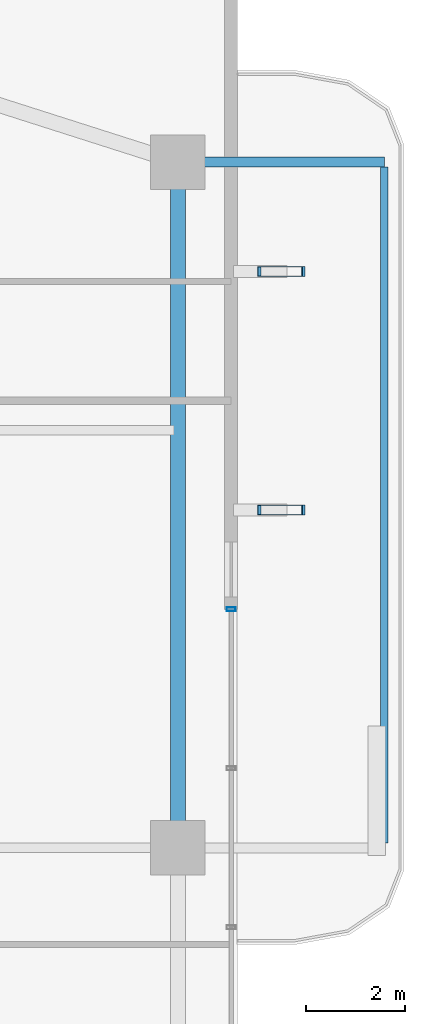
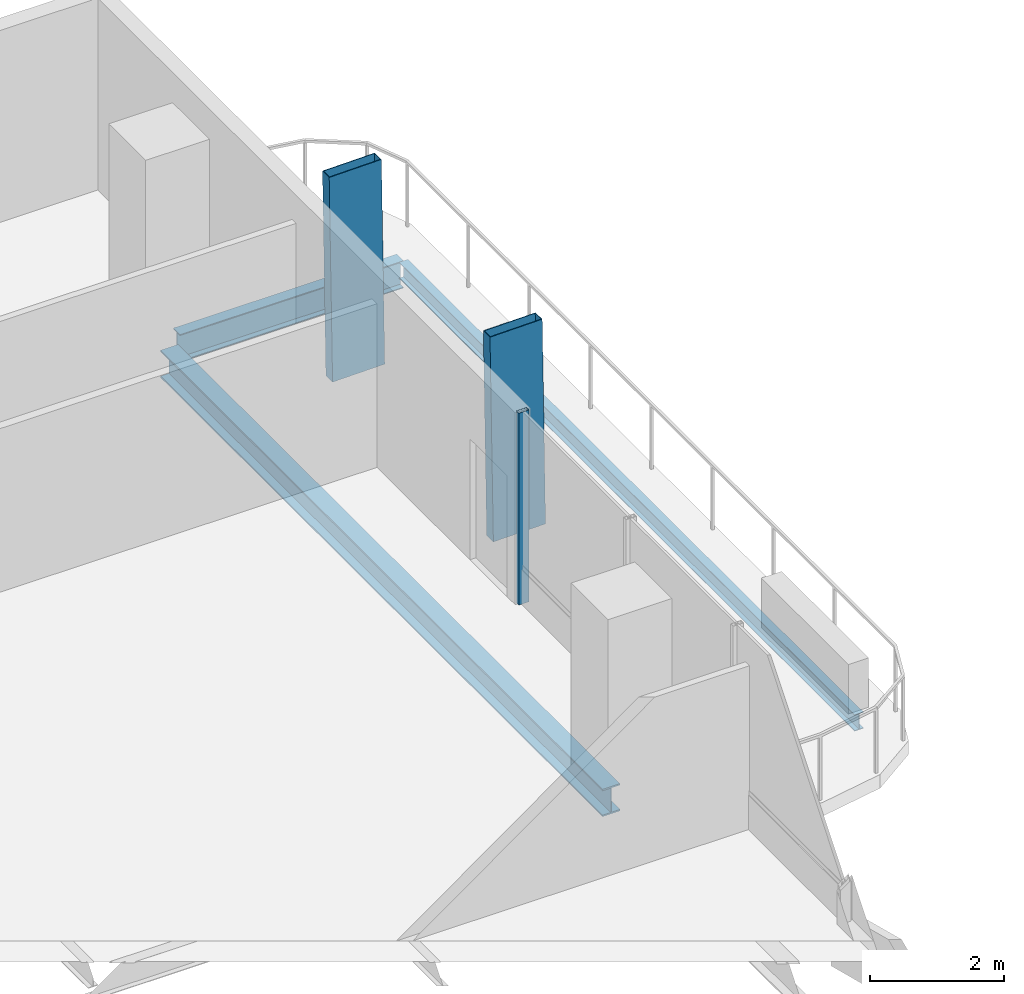
# One storey, part 15 of 25: 3 beams, 3 members, 1 element without a shape of its own.
"""IFC4 building model written with IfcOpenShell, lengths in metres."""

from ifc_helpers import new_model, si_unit, direction, frame, origin, origin_2d, place, context, subcontext, project, spatial, hollow_rectangle, i_section, extrude, material, layer, layer_set, material_profile, profile_set, type_object, element, aggregate, save


model = new_model("IFC4")

# Units and contexts
model_context = context("Model", 3, precision=1e-05, world=origin(), true_north=direction((0.0, 1.0)))
body_context = subcontext(model_context, "Body", "Model", "MODEL_VIEW")
ifc_project = project(units=[si_unit("LENGTHUNIT", "METRE"), si_unit("AREAUNIT", "SQUARE_METRE"), si_unit("VOLUMEUNIT", "CUBIC_METRE"), si_unit("PLANEANGLEUNIT", "RADIAN"), si_unit("MASSUNIT", "GRAM", prefix="KILO")], contexts=[model_context])

# Site, building, storey
site_placement = place(None, origin())
site = spatial("IfcSite", under=ifc_project, at=site_placement, CompositionType="ELEMENT")
building_placement = place(site_placement, origin())
building = spatial("IfcBuilding", under=site, at=building_placement, Name="Belovzor Exchange Tower", CompositionType="ELEMENT")
storey_placement = place(building_placement, frame((0.0, 0.0, 175.800048828125)))
storey = spatial("IfcBuildingStorey", under=building, at=storey_placement, Name="L43", CompositionType="ELEMENT", Elevation=175.800048828125)

# Beams
ifc_material_1 = material(Name="Steel S355", Category="steel")
ifc_material_profile_1 = material_profile(ifc_material_1, i_section(OverallWidth=0.199951171875, OverallDepth=0.5, WebThickness=0.01025390625, FlangeThickness=0.01611328125, at=origin_2d()))
ifc_profile_set_1 = profile_set([ifc_material_profile_1], Name="Steel S355")
beam_type_1 = type_object("IfcBeamType", Name="Planted Balcony Cantilever Beam IPE 500", PredefinedType="BEAM", material=ifc_profile_set_1)
beam_1_placement = place(storey_placement, frame((52.202880859375, 42.60009765625, -0.505126953125), z_axis=(1.0, 0.0, 0.0), x_axis=(0.0, 1.0, 0.0)))
element("IfcBeam", 1, at=beam_1_placement, inside=storey, type_object=beam_type_1, Name="BC-500 Planted Balcony Cantilever Beam IPE 500", PredefinedType="BEAM", context=body_context, shape_type="SweptSolid", body=[
    extrude(i_section(OverallWidth=0.199951171875, OverallDepth=0.5, WebThickness=0.01025390625, FlangeThickness=0.01611328125, at=origin_2d()), origin(), (0.0, 0.0, 1.0), 3.85009765625),
])
ifc_material_2 = material(Name="Steel S355", Category="steel")
ifc_material_profile_2 = material_profile(ifc_material_2, i_section(OverallWidth=0.14990234375, OverallDepth=0.300048828125, WebThickness=0.007080078125, FlangeThickness=0.0107421875, at=origin_2d()))
ifc_profile_set_2 = profile_set([ifc_material_profile_2], Name="Steel S355")
beam_type_2 = type_object("IfcBeamType", Name="Planted Balcony Fascia Edge Beam IPE 300", PredefinedType="BEAM", material=ifc_profile_set_2)
beam_2_placement = place(storey_placement, frame((56.052978515625, 28.89990234375, -0.405029296875), z_axis=(0.0, 1.0, 0.0), x_axis=(-1.0, 0.0, 0.0)))
element("IfcBeam", 2, at=beam_2_placement, inside=storey, type_object=beam_type_2, Name="BC-300 Planted Balcony Fascia Edge Beam IPE 300", PredefinedType="BEAM", context=body_context, shape_type="SweptSolid", body=[
    extrude(i_section(OverallWidth=0.14990234375, OverallDepth=0.300048828125, WebThickness=0.007080078125, FlangeThickness=0.0107421875, at=origin_2d()), origin(), (0.0, 0.0, 1.0), 13.60009765625),
])

# Members
ifc_material_3 = material(Name="Extruded Architectural Terracotta on Steel S355 Carrier", Category="masonry")
ifc_material_profile_3 = material_profile(ifc_material_3, hollow_rectangle(XDim=0.199951171875, YDim=0.89990234375, WallThickness=0.011962890625, at=origin_2d()))
ifc_profile_set_3 = profile_set([ifc_material_profile_3], Name="Extruded Architectural Terracotta on Steel S355 Carrier")
member_type_1 = type_object("IfcMemberType", Name="Sweeping Terracotta Baguette Fin Assembly 1250", PredefinedType="USERDEFINED", material=ifc_profile_set_3)
for number, where, z_axis, x_axis, name in (
    (3, (54.010986328125, 35.60009765625, -0.255126953125), (-0.01549293194, 0.0, 0.999879977327), (0.0, -1.0, 0.0), "FIN-TC125 Terracotta Facade Fin L43 E3"),
    (4, (54.010986328125, 40.39990234375, -0.255126953125), (-0.01549293194, 0.0, 0.999879977327), (0.0, -1.0, 0.0), "FIN-TC125 Terracotta Facade Fin L43 E4"),
):
    element("IfcMember", number, at=place(storey_placement, frame(where, z_axis=z_axis, x_axis=x_axis)), inside=storey, type_object=member_type_1, Name=name, ObjectType="FIN", PredefinedType="USERDEFINED", context=body_context, shape_type="SweptSolid", body=[
        extrude(hollow_rectangle(XDim=0.199951171875, YDim=0.89990234375, WallThickness=0.011962890625, at=origin_2d()), origin(), (0.0, 0.0, 1.0), 3.75048828125),
    ])

# Curtain wall, member
ifc_material_4 = material(Name="Anodised Aluminium Framing", Category="aluminium")
ifc_layer = layer(ifc_material_4, 0.179931640625)
ifc_layer_set = layer_set([ifc_layer], Name="Anodised Aluminium Framing")
curtain_wall_type = type_object("IfcCurtainWallType", Name="Recessed Loggia Low-Iron Triple-Glazed Curtain Wall", PredefinedType="NOTDEFINED", material=ifc_layer_set)
curtain_wall_placement = place(storey_placement, origin())
curtain_wall = element("IfcCurtainWall", 5, at=curtain_wall_placement, inside=storey, type_object=curtain_wall_type, Name="CW3 Recessed Loggia Low-Iron Triple-Glazed Curtain Wall L43", PredefinedType="NOTDEFINED")
ifc_material_5 = material(Name="Steel S355", Category="steel")
ifc_material_profile_4 = material_profile(ifc_material_5, hollow_rectangle(XDim=0.074951171875, YDim=0.179931640625, WallThickness=0.0048828125, at=origin_2d()))
ifc_profile_set_4 = profile_set([ifc_material_profile_4], Name="Steel S355")
member_type_2 = type_object("IfcMemberType", Name="Thermally Broken Curtain Wall Mullion 180x75", PredefinedType="MULLION", material=ifc_profile_set_4)
member_placement = place(storey_placement, frame((52.969970703125, 33.60009765625, 0.0), z_axis=(0.0, 0.0, 1.0), x_axis=(0.0, -1.0, 0.0)))
member = element("IfcMember", 6, at=member_placement, type_object=member_type_2, Name="CW-M180 Curtain Wall Mullion 1", PredefinedType="MULLION", context=body_context, shape_type="SweptSolid", body=[
    extrude(hollow_rectangle(XDim=0.074951171875, YDim=0.179931640625, WallThickness=0.0048828125, at=origin_2d()), origin(), (0.0, 0.0, 1.0), 3.494873046875),
])
aggregate(curtain_wall, [member])

# Beam
ifc_material_6 = material(Name="Steel S355", Category="steel")
ifc_material_profile_5 = material_profile(ifc_material_6, i_section(OverallWidth=0.300048828125, OverallDepth=0.5, WebThickness=0.014404296875, FlangeThickness=0.028076171875, at=origin_2d()))
ifc_profile_set_5 = profile_set([ifc_material_profile_5], Name="Steel S355")
beam_type_3 = type_object("IfcBeamType", Name="Zone 3 Waist Primary Girder HEB 500", PredefinedType="BEAM", material=ifc_profile_set_5)
beam_3_placement = place(storey_placement, frame((51.89990234375, 29.10205078125, -0.505126953125), z_axis=(0.0, 1.0, 0.0), x_axis=(-1.0, 0.0, 0.0)))
element("IfcBeam", 7, at=beam_3_placement, inside=storey, type_object=beam_type_3, Name="FG-Z3 Zone 3 Waist Primary Girder HEB 500", PredefinedType="BEAM", context=body_context, shape_type="SweptSolid", body=[
    extrude(i_section(OverallWidth=0.300048828125, OverallDepth=0.5, WebThickness=0.014404296875, FlangeThickness=0.028076171875, at=origin_2d()), origin(), (0.0, 0.0, 1.0), 13.195068359375),
])

save(model, "model.ifc")
